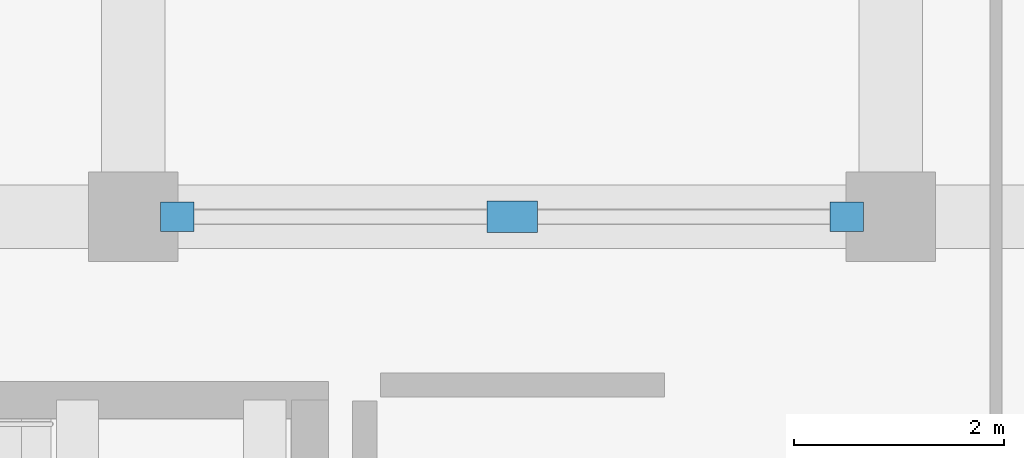
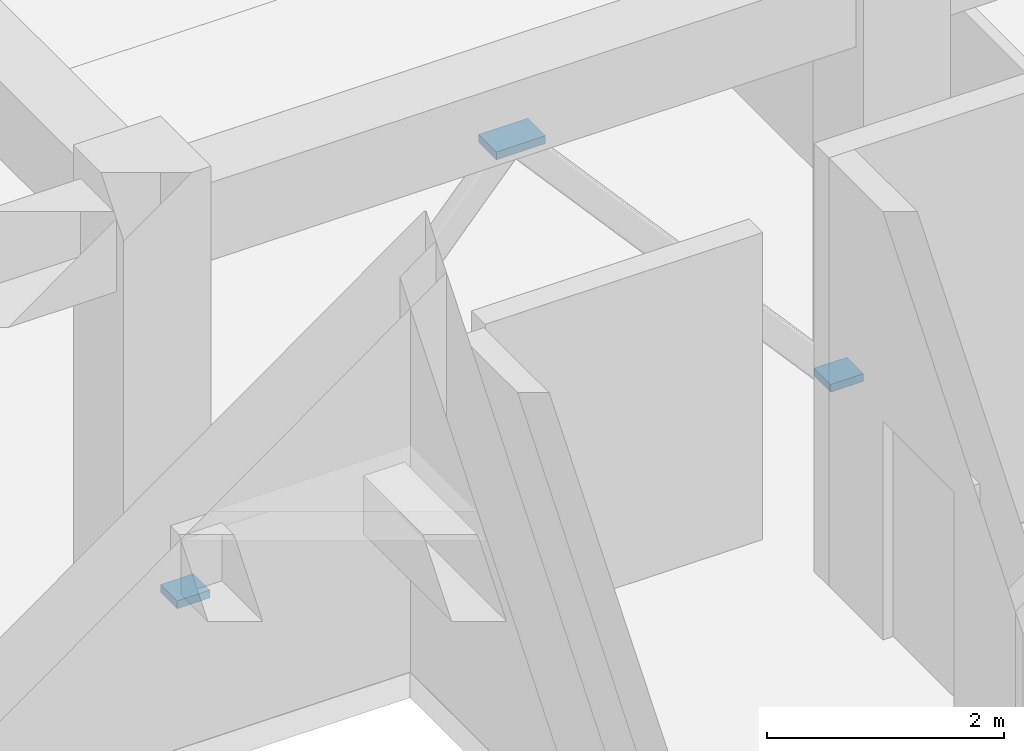
# One storey, part 45 of 55: 3 discrete accessories.
"""IFC4 building model written with IfcOpenShell, lengths in metres."""

from ifc_helpers import new_model, si_unit, direction, frame, origin, origin_2d, place, context, subcontext, project, spatial, rectangle, extrude, material, type_object, element, save


model = new_model("IFC4")

# Units and contexts
model_context = context("Model", 3, precision=1e-05, world=origin(), true_north=direction((0.0, 1.0)))
body_context = subcontext(model_context, "Body", "Model", "MODEL_VIEW")
ifc_project = project(units=[si_unit("LENGTHUNIT", "METRE"), si_unit("AREAUNIT", "SQUARE_METRE"), si_unit("VOLUMEUNIT", "CUBIC_METRE"), si_unit("PLANEANGLEUNIT", "RADIAN"), si_unit("MASSUNIT", "GRAM", prefix="KILO")], contexts=[model_context])

# Site, building, storey
site_placement = place(None, origin())
site = spatial("IfcSite", under=ifc_project, at=site_placement, CompositionType="ELEMENT")
building_placement = place(site_placement, origin())
building = spatial("IfcBuilding", under=site, at=building_placement, Name="Kazehaya Institute of Natural Sciences", CompositionType="ELEMENT")
storey_placement = place(building_placement, frame((0.0, 0.0, 15.1201171875)))
storey = spatial("IfcBuildingStorey", under=building, at=storey_placement, Name="L03", CompositionType="ELEMENT", Elevation=15.1201171875)

# Discrete accessories
ifc_material = material(Name="Structural steel SN490B", Category="steel")
discrete_accessory_type = type_object("IfcDiscreteAccessoryType", Name="ACC-STL-CAP", PredefinedType="BRACKET", material=ifc_material)
for number, where, z_axis, x_axis, name in (
    (1, (69.419921875, 28.39990234375, 0.009765625), (0.0, 0.0, 1.0), (1.0, 0.0, 0.0), "L03 brace base gusset end plate 7"),
    (2, (75.780029296875, 28.39990234375, 0.009765625), (0.0, 0.0, 1.0), (1.0, 0.0, 0.0), "L03 brace base gusset end plate 8"),
):
    element("IfcDiscreteAccessory", number, at=place(storey_placement, frame(where, z_axis=z_axis, x_axis=x_axis)), inside=storey, type_object=discrete_accessory_type, Name=name, PredefinedType="BRACKET", context=body_context, shape_type="SweptSolid", body=[
        extrude(rectangle(XDim=0.320068359375, YDim=0.280029296875, at=origin_2d()), origin(), (0.0, 0.0, 1.0), 0.080078125),
    ])
discrete_accessory_placement = place(storey_placement, frame((72.60009765625, 28.39990234375, 3.5498046875), z_axis=(0.0, 0.0, 1.0), x_axis=(1.0, 0.0, 0.0)))
element("IfcDiscreteAccessory", 3, at=discrete_accessory_placement, inside=storey, type_object=discrete_accessory_type, Name="L03 chevron brace apex gusset plate", PredefinedType="BRACKET", context=body_context, shape_type="SweptSolid", body=[
    extrude(rectangle(XDim=0.47998046875, YDim=0.300048828125, at=origin_2d()), origin(), (0.0, 0.0, 1.0), 0.080078125),
])

save(model, "model.ifc")
